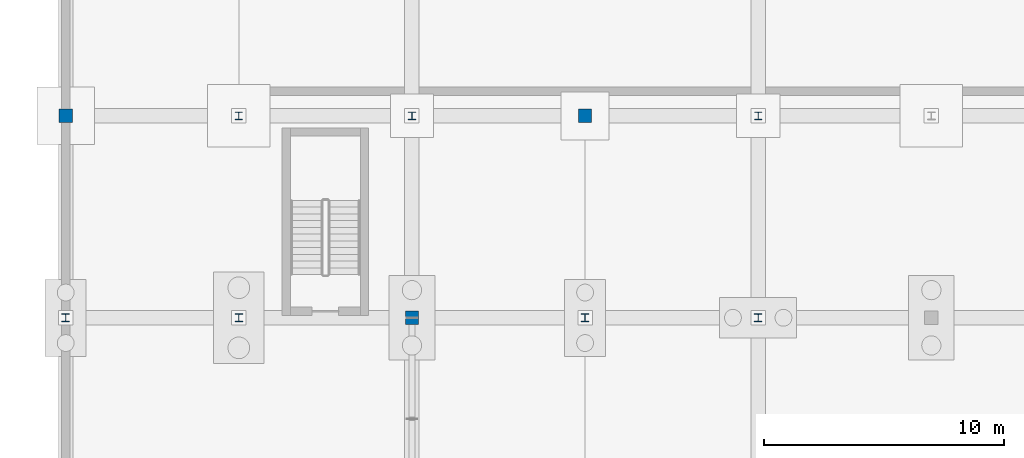
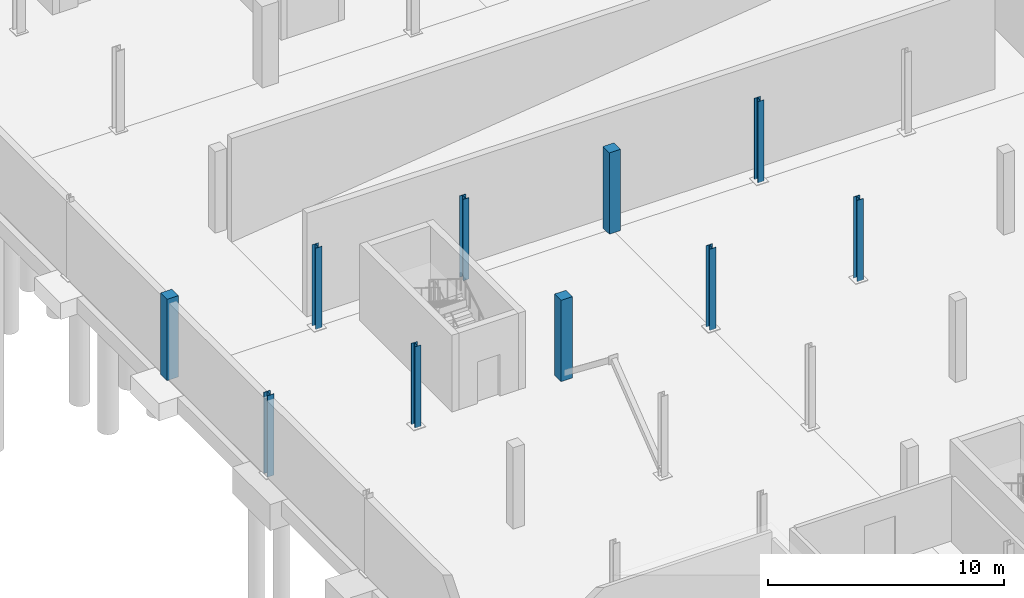
# One storey, part 8 of 32: 10 columns.
"""IFC4 building model written with IfcOpenShell, lengths in metres."""

from ifc_helpers import new_model, si_unit, direction, frame, origin, origin_2d, place, context, subcontext, project, spatial, rectangle, i_section, extrude, material, material_profile, profile_set, type_object, element, save


model = new_model("IFC4")

# Units and contexts
model_context = context("Model", 3, precision=1e-05, world=origin(), true_north=direction((0.0, 1.0)))
body_context = subcontext(model_context, "Body", "Model", "MODEL_VIEW")
ifc_project = project(units=[si_unit("LENGTHUNIT", "METRE"), si_unit("AREAUNIT", "SQUARE_METRE"), si_unit("VOLUMEUNIT", "CUBIC_METRE"), si_unit("PLANEANGLEUNIT", "RADIAN"), si_unit("MASSUNIT", "GRAM", prefix="KILO")], contexts=[model_context])

# Site, building, storey
site_placement = place(None, origin())
site = spatial("IfcSite", under=ifc_project, at=site_placement, CompositionType="ELEMENT")
building_placement = place(site_placement, origin())
building = spatial("IfcBuilding", under=site, at=building_placement, Name="Qelthora Terrace Specialist Clinic", CompositionType="ELEMENT")
storey_placement = place(building_placement, frame((0.0, 0.0, -4.199951171875)))
storey = spatial("IfcBuildingStorey", under=building, at=storey_placement, Name="B1", CompositionType="ELEMENT", Elevation=-4.199951171875)

# Columns
ifc_material_1 = material(Name="Concrete C40/50", Category="concrete")
ifc_material_profile_1 = material_profile(ifc_material_1, rectangle(XDim=0.550048828125, YDim=0.550048828125, at=origin_2d()), Name="RC550X550")
ifc_profile_set_1 = profile_set([ifc_material_profile_1], Name="Concrete C40/50")
column_type_1 = type_object("IfcColumnType", Name="COL-RC550", PredefinedType="COLUMN", material=ifc_profile_set_1)
for number, where, z_axis, x_axis, name in (
    (1, (0.0, 42.0, 0.0), (0.0, 0.0, 1.0), (1.0, 0.0, 0.0), "Column B1-006"),
    (2, (14.39990234375, 33.60009765625, 0.0), (0.0, 0.0, 1.0), (1.0, 0.0, 0.0), "Column B1-033"),
    (3, (21.60009765625, 42.0, 0.0), (0.0, 0.0, 1.0), (1.0, 0.0, 0.0), "Column B1-048"),
):
    element("IfcColumn", number, at=place(storey_placement, frame(where, z_axis=z_axis, x_axis=x_axis)), inside=storey, type_object=column_type_1, Name=name, PredefinedType="COLUMN", context=body_context, shape_type="SweptSolid", body=[
        extrude(rectangle(XDim=0.550048828125, YDim=0.550048828125, at=origin_2d()), origin(), (0.0, 0.0, 1.0), 4.199951171875),
    ])
ifc_material_2 = material(Name="Steel S355", Category="steel")
ifc_material_profile_2 = material_profile(ifc_material_2, i_section(OverallWidth=0.305908203125, OverallDepth=0.31103515625, WebThickness=0.010986328125, FlangeThickness=0.01708984375, FilletRadius=0.014892578125, at=origin_2d()), Name="W310X107")
ifc_profile_set_2 = profile_set([ifc_material_profile_2], Name="Steel S355")
column_type_2 = type_object("IfcColumnType", Name="COL-W310X107", PredefinedType="COLUMN", material=ifc_profile_set_2)
column_1_placement = place(storey_placement, frame((14.39990234375, 42.0, 0.0), z_axis=(0.0, 0.0, 1.0), x_axis=(1.0, 0.0, 0.0)))
element("IfcColumn", 4, at=column_1_placement, inside=storey, type_object=column_type_2, Name="Column B1-034", PredefinedType="COLUMN", context=body_context, shape_type="SweptSolid", body=[
    extrude(i_section(OverallWidth=0.305908203125, OverallDepth=0.31103515625, WebThickness=0.010986328125, FlangeThickness=0.01708984375, FilletRadius=0.014892578125, at=origin_2d()), origin(), (0.0, 0.0, 1.0), 4.199951171875),
])
ifc_material_profile_3 = material_profile(ifc_material_2, i_section(OverallWidth=0.30810546875, OverallDepth=0.318115234375, WebThickness=0.01318359375, FlangeThickness=0.0205078125, FilletRadius=0.01611328125, at=origin_2d()), Name="W310X129")
ifc_profile_set_3 = profile_set([ifc_material_profile_3], Name="Steel S355")
column_type_3 = type_object("IfcColumnType", Name="COL-W310X129", PredefinedType="COLUMN", material=ifc_profile_set_3)
for number, where, z_axis, x_axis, name in (
    (5, (0.0, 33.60009765625, 0.0), (0.0, 0.0, 1.0), (1.0, 0.0, 0.0), "Column B1-005"),
    (6, (7.199951171875, 33.60009765625, 0.0), (0.0, 0.0, 1.0), (1.0, 0.0, 0.0), "Column B1-019"),
    (7, (21.60009765625, 33.60009765625, 0.0), (0.0, 0.0, 1.0), (1.0, 0.0, 0.0), "Column B1-047"),
):
    element("IfcColumn", number, at=place(storey_placement, frame(where, z_axis=z_axis, x_axis=x_axis)), inside=storey, type_object=column_type_3, Name=name, PredefinedType="COLUMN", context=body_context, shape_type="SweptSolid", body=[
        extrude(i_section(OverallWidth=0.30810546875, OverallDepth=0.318115234375, WebThickness=0.01318359375, FlangeThickness=0.0205078125, FilletRadius=0.01611328125, at=origin_2d()), origin(), (0.0, 0.0, 1.0), 4.199951171875),
    ])
ifc_material_profile_4 = material_profile(ifc_material_2, i_section(OverallWidth=0.30908203125, OverallDepth=0.322998046875, WebThickness=0.013916015625, FlangeThickness=0.02294921875, FilletRadius=0.01611328125, at=origin_2d()), Name="W310X143")
ifc_profile_set_4 = profile_set([ifc_material_profile_4], Name="Steel S355")
column_type_4 = type_object("IfcColumnType", Name="COL-W310X143", PredefinedType="COLUMN", material=ifc_profile_set_4)
column_2_placement = place(storey_placement, frame((28.800048828125, 33.60009765625, 0.0), z_axis=(0.0, 0.0, 1.0), x_axis=(1.0, 0.0, 0.0)))
element("IfcColumn", 8, at=column_2_placement, inside=storey, type_object=column_type_4, Name="Column B1-058", PredefinedType="COLUMN", context=body_context, shape_type="SweptSolid", body=[
    extrude(i_section(OverallWidth=0.30908203125, OverallDepth=0.322998046875, WebThickness=0.013916015625, FlangeThickness=0.02294921875, FilletRadius=0.01611328125, at=origin_2d()), origin(), (0.0, 0.0, 1.0), 4.199951171875),
])
ifc_material_profile_5 = material_profile(ifc_material_2, i_section(OverallWidth=0.304931640625, OverallDepth=0.30810546875, WebThickness=0.010009765625, FlangeThickness=0.015380859375, FilletRadius=0.014892578125, at=origin_2d()), Name="W310X97")
ifc_profile_set_5 = profile_set([ifc_material_profile_5], Name="Steel S355")
column_type_5 = type_object("IfcColumnType", Name="COL-W310X97", PredefinedType="COLUMN", material=ifc_profile_set_5)
for number, where, z_axis, x_axis, name in (
    (9, (7.199951171875, 42.0, 0.0), (0.0, 0.0, 1.0), (1.0, 0.0, 0.0), "Column B1-020"),
    (10, (28.800048828125, 42.0, 0.0), (0.0, 0.0, 1.0), (1.0, 0.0, 0.0), "Column B1-059"),
):
    element("IfcColumn", number, at=place(storey_placement, frame(where, z_axis=z_axis, x_axis=x_axis)), inside=storey, type_object=column_type_5, Name=name, PredefinedType="COLUMN", context=body_context, shape_type="SweptSolid", body=[
        extrude(i_section(OverallWidth=0.304931640625, OverallDepth=0.30810546875, WebThickness=0.010009765625, FlangeThickness=0.015380859375, FilletRadius=0.014892578125, at=origin_2d()), origin(), (0.0, 0.0, 1.0), 4.199951171875),
    ])

save(model, "model.ifc")
